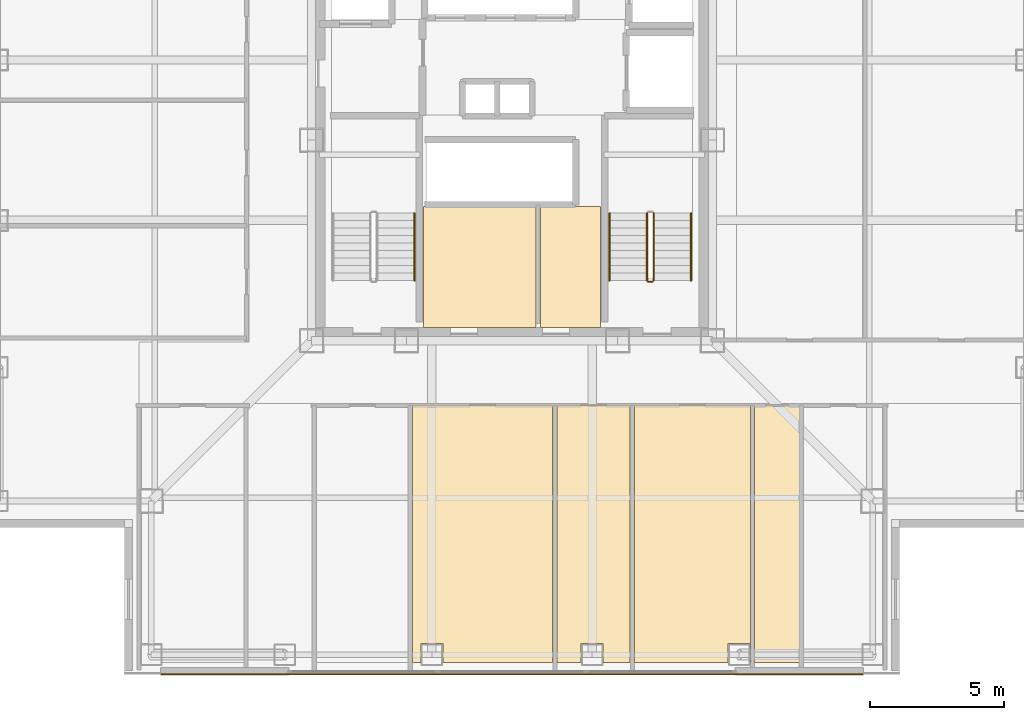
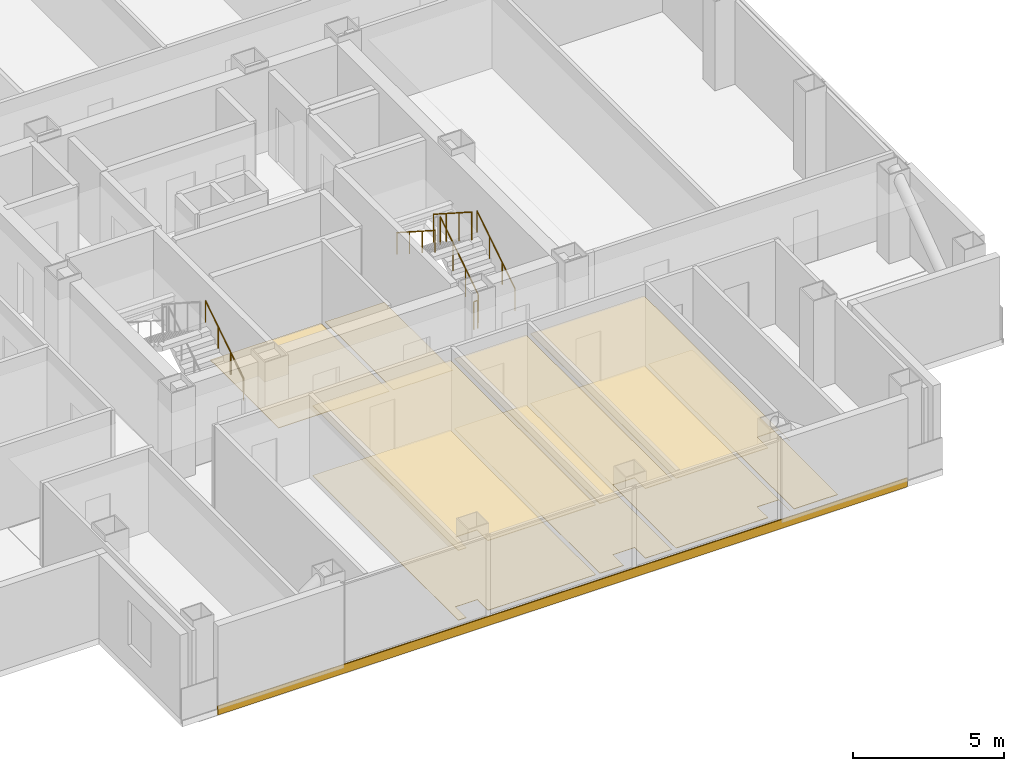
# One storey, part 13 of 17: 10 coverings, 6 railings.
"""IFC4 building model written with IfcOpenShell, lengths in metres."""

import ifcopenshell
import ifcopenshell.guid

model = None  # the IFC model being written
_history = None  # IfcOwnerHistory: only IFC2X3 demands one
_inside = {}  # id of a spatial element -> (the spatial element, [elements in it])
_under = {}  # id of a project, library or spatial element -> (it, [spatial elements below it])
_declared = {}  # id of a project -> (the project, [libraries it declares])
_typed = {}  # id of a type object -> (the type object, [elements of that type])
_made_of = {}  # id of a material, layer set ... -> (it, [elements and type objects made of it])


def new_model(schema):
    """Start an empty IFC model of exactly this schema.

    Asked for "IFC4X3", IfcOpenShell would pick the latest addendum, in which some entities
    have other attributes; the version numbers below select the first issue.
    IFC2X3 requires an IfcOwnerHistory on every rooted entity: one is made here for all.
    """
    global model, _history
    if schema == "IFC4X3":
        model = ifcopenshell.file(schema_version=(4, 3, 0, 0))
    else:
        model = ifcopenshell.file(schema=schema)
    _inside.clear()
    _under.clear()
    _declared.clear()
    _typed.clear()
    _made_of.clear()
    _history = None
    if model.schema == "IFC2X3":
        org = make("IfcOrganization", Name="unknown")
        user = make(
            "IfcPersonAndOrganization",
            ThePerson=make("IfcPerson", FamilyName="unknown"),
            TheOrganization=org,
        )
        app = make(
            "IfcApplication",
            ApplicationDeveloper=org,
            Version="unknown",
            ApplicationFullName="unknown",
            ApplicationIdentifier="unknown",
        )
        _history = make(
            "IfcOwnerHistory",
            OwningUser=user,
            OwningApplication=app,
            ChangeAction="ADDED",
            CreationDate=0,
        )
    return model


def make(cls, **values):
    """One entity of the class cls with the attributes given. An attribute that is None is left unset."""
    return model.create_entity(
        cls, **{name: value for name, value in values.items() if value is not None}
    )


def rooted(cls, **values):
    """An entity with a GlobalId (a new one), such as an element, a storey or a relation."""
    return make(cls, GlobalId=ifcopenshell.guid.new(), OwnerHistory=_history, **values)


def si_unit(unit_type, name, prefix=None):
    """IfcSIUnit, for example si_unit("LENGTHUNIT", "METRE", prefix="MILLI")."""
    return make("IfcSIUnit", UnitType=unit_type, Prefix=prefix, Name=name)


def assignment(units):
    """IfcUnitAssignment: the units of a project."""
    return None if units is None else make("IfcUnitAssignment", Units=units)


def point(xyz):
    """IfcCartesianPoint."""
    return None if xyz is None else make("IfcCartesianPoint", Coordinates=xyz)


def direction(xyz):
    """IfcDirection."""
    return None if xyz is None else make("IfcDirection", DirectionRatios=xyz)


def frame(location, z_axis=None, x_axis=None):
    """IfcAxis2Placement3D, a coordinate frame: its origin and axes. An axis left out is left unset."""
    return make(
        "IfcAxis2Placement3D",
        Location=point(location),
        Axis=direction(z_axis),
        RefDirection=direction(x_axis),
    )


def frame_2d(location, x_axis=None):
    """IfcAxis2Placement2D, a coordinate frame in the plane: its origin and x axis."""
    return make(
        "IfcAxis2Placement2D", Location=point(location), RefDirection=direction(x_axis)
    )


def origin():
    """The frame at (0, 0, 0) with its axes left unset."""
    return frame((0.0, 0.0, 0.0))


def origin_2d():
    """The frame at (0, 0) in the plane with its x axis left unset."""
    return frame_2d((0.0, 0.0))


def place(relative_to, where):
    """IfcLocalPlacement: puts the frame where relative to a parent placement (None: the world)."""
    return make(
        "IfcLocalPlacement", PlacementRelTo=relative_to, RelativePlacement=where
    )


def context(
    kind, dimensions, precision=None, world=None, true_north=None, identifier=None
):
    """IfcGeometricRepresentationContext, for example the 3D "Model" context."""
    return make(
        "IfcGeometricRepresentationContext",
        ContextIdentifier=identifier,
        ContextType=kind,
        CoordinateSpaceDimension=dimensions,
        Precision=precision,
        WorldCoordinateSystem=world,
        TrueNorth=true_north,
    )


def subcontext(parent, identifier, kind, view, scale=None):
    """IfcGeometricRepresentationSubContext, for example "Body" below "Model"."""
    return make(
        "IfcGeometricRepresentationSubContext",
        ContextIdentifier=identifier,
        ContextType=kind,
        ParentContext=parent,
        TargetScale=scale,
        TargetView=view,
    )


def project(units=None, contexts=None):
    """IfcProject with its units and contexts."""
    return rooted(
        "IfcProject",
        Name="project",
        RepresentationContexts=contexts,
        UnitsInContext=assignment(units),
    )


def spatial(cls, under=None, at=None, **own):
    """A site, building, storey or space (cls), placed at a placement, below another one or the project."""
    s = rooted(cls, ObjectPlacement=at, **own)
    if under is not None:
        _under.setdefault(under.id(), (under, []))[1].append(s)
    return s


def polyline(points):
    """IfcPolyline through the points."""
    return make("IfcPolyline", Points=[point(p) for p in points])


def profile(cls, at=None, kind="AREA", **sizes):
    """A parametric profile (cls). Its sizes go by their IFC names, for example OverallWidth=200.0."""
    return make(cls, ProfileType=kind, Position=at, **sizes)


def rectangle(**sizes):
    """IfcRectangleProfileDef."""
    return profile("IfcRectangleProfileDef", **sizes)


def circle(**sizes):
    """IfcCircleProfileDef."""
    return profile("IfcCircleProfileDef", **sizes)


def outline(outer, holes=None, kind="AREA"):
    """IfcArbitraryClosedProfileDef: a profile drawn as a closed curve; with holes, ...WithVoids."""
    if holes is None:
        return make("IfcArbitraryClosedProfileDef", ProfileType=kind, OuterCurve=outer)
    return make(
        "IfcArbitraryProfileDefWithVoids",
        ProfileType=kind,
        OuterCurve=outer,
        InnerCurves=holes,
    )


def extrude(swept, where, along, depth):
    """IfcExtrudedAreaSolid: the profile swept, set in the frame where, extruded along a direction by depth."""
    return make(
        "IfcExtrudedAreaSolid",
        SweptArea=swept,
        Position=where,
        ExtrudedDirection=direction(along),
        Depth=depth,
    )


def shape(context_of_items, identifier, shape_type, items):
    """IfcShapeRepresentation: the items that make up one representation, for example the "Body"."""
    return make(
        "IfcShapeRepresentation",
        ContextOfItems=context_of_items,
        RepresentationIdentifier=identifier,
        RepresentationType=shape_type,
        Items=items,
    )


def material(Name=None, Category=None):
    """IfcMaterial."""
    return make("IfcMaterial", Name=Name, Category=Category)


def layer(
    of_material, thickness, ventilated=None, Name=None, Category=None, Priority=None
):
    """IfcMaterialLayer: one layer of a wall or slab, of a material (None: an air gap)."""
    return make(
        "IfcMaterialLayer",
        Material=of_material,
        LayerThickness=thickness,
        IsVentilated=ventilated,
        Name=Name,
        Category=Category,
        Priority=Priority,
    )


def layer_set(layers, Name=None):
    """IfcMaterialLayerSet."""
    return make("IfcMaterialLayerSet", MaterialLayers=layers, LayerSetName=Name)


def made_of(thing, what):
    """Note that an element or type object is made of a material, layer set ...; save() writes the relation."""
    if what is not None:
        _made_of.setdefault(what.id(), (what, []))[1].append(thing)
    return thing


def type_object(cls, material=None, **own):
    """A type object (cls), such as IfcWallType, which elements share."""
    return made_of(rooted(cls, **own), material)


def element(
    cls,
    number,
    at=None,
    inside=None,
    cuts=None,
    type_object=None,
    material=None,
    context=None,
    identifier="Body",
    shape_type=None,
    held_by="IfcProductDefinitionShape",
    body=None,
    shapes=None,
    **own,
):
    """One element of the class cls, such as IfcWall. Its Tag is "e" and its number.

    at: its placement. inside: the storey or other place that contains it. cuts: it is an
    opening in that element (IfcRelVoidsElement). A single representation is given by context,
    identifier, shape_type and body (its items); several are given by shapes. held_by: the class
    of the entity that holds the representations. save() writes the other relations.
    """
    e = rooted(cls, Tag="e%d" % number, ObjectPlacement=at, **own)
    if body is not None:
        shapes = [shape(context, identifier, shape_type, body)]
    if shapes is not None:
        e.Representation = make(held_by, Representations=shapes)
    if inside is not None:
        _inside.setdefault(inside.id(), (inside, []))[1].append(e)
    if cuts is not None:
        rooted(
            "IfcRelVoidsElement", RelatingBuildingElement=cuts, RelatedOpeningElement=e
        )
    if type_object is not None:
        _typed.setdefault(type_object.id(), (type_object, []))[1].append(e)
    return made_of(e, material)


def aggregate(whole, parts):
    """IfcRelAggregates: a whole, such as a stair, and the parts it consists of."""
    return rooted("IfcRelAggregates", RelatingObject=whole, RelatedObjects=parts)


def save(model, path):
    """Write the relations noted so far, then the file.

    IfcRelAggregates (storeys below a building ...), IfcRelContainedInSpatialStructure (elements
    in a storey), IfcRelDefinesByType, IfcRelAssociatesMaterial and IfcRelDeclares: one each for
    every whole, place, type object, material and project.
    """
    for whole, parts in _under.values():
        aggregate(whole, parts)
    for where, things in _inside.values():
        rooted(
            "IfcRelContainedInSpatialStructure",
            RelatedElements=things,
            RelatingStructure=where,
        )
    for kind, things in _typed.values():
        rooted("IfcRelDefinesByType", RelatedObjects=things, RelatingType=kind)
    for what, things in _made_of.values():
        rooted("IfcRelAssociatesMaterial", RelatedObjects=things, RelatingMaterial=what)
    for by, libraries in _declared.values():
        rooted("IfcRelDeclares", RelatingContext=by, RelatedDefinitions=libraries)
    model.write(path)


model = new_model("IFC4")

# Units and contexts
model_context = context("Model", 3, precision=1e-05, world=origin(), true_north=direction((0.0, 1.0)))
body_context = subcontext(model_context, "Body", "Model", "MODEL_VIEW")
ifc_project = project(units=[si_unit("LENGTHUNIT", "METRE"), si_unit("AREAUNIT", "SQUARE_METRE"), si_unit("VOLUMEUNIT", "CUBIC_METRE"), si_unit("PLANEANGLEUNIT", "RADIAN"), si_unit("MASSUNIT", "GRAM", prefix="KILO")], contexts=[model_context])

# Site, building, storey
site_placement = place(None, origin())
site = spatial("IfcSite", under=ifc_project, at=site_placement, CompositionType="ELEMENT")
building_placement = place(site_placement, origin())
building = spatial("IfcBuilding", under=site, at=building_placement, Name="Trevonay Congress Spire", CompositionType="ELEMENT")
storey_placement = place(building_placement, frame((0.0, 0.0, 169.800048828125)))
storey = spatial("IfcBuildingStorey", under=building, at=storey_placement, Name="L43", CompositionType="ELEMENT", Elevation=169.800048828125)

# Coverings
ifc_material_1 = material(Name="Acoustic Mineral Fibre Board", Category="gypsum")
ifc_layer_1 = layer(ifc_material_1, 0.02490234375, Name="Acoustic Mineral Fibre Board")
ifc_layer_set_1 = layer_set([ifc_layer_1], Name="Acoustic Mineral Fibre Board")
covering_type_1 = type_object("IfcCoveringType", Name="COV-CEIL-ACOUSTIC", PredefinedType="CEILING", material=ifc_layer_set_1)
covering_1_placement = place(storey_placement, frame((0.0, 0.0, 2.81005859375)))
element("IfcCovering", 1, at=covering_1_placement, inside=storey, type_object=covering_type_1, Name="L43 Admiralty Law Office 2 acoustic suspended ceiling", PredefinedType="CEILING", context=body_context, shape_type="SweptSolid", body=[
    extrude(outline(polyline([(-3.719970703125, -19.550048828125), (-3.719970703125, -9.929931640625), (1.52001953125, -9.929931640625), (1.52001953125, -19.550048828125), (-2.590087890625, -19.550048828125), (-2.590087890625, -18.840087890625), (-3.409912109375, -18.840087890625), (-3.409912109375, -19.550048828125), (-3.719970703125, -19.550048828125)])), origin(), (0.0, 0.0, 1.0), 0.02490234375),
])
covering_2_placement = place(storey_placement, frame((0.0, 0.0, 2.81005859375)))
element("IfcCovering", 2, at=covering_2_placement, inside=storey, type_object=covering_type_1, Name="L43 Marine Insurance Office 3 acoustic suspended ceiling", PredefinedType="CEILING", context=body_context, shape_type="SweptSolid", body=[
    extrude(outline(polyline([(1.679931640625, -19.550048828125), (1.679931640625, -9.929931640625), (4.419921875, -9.929931640625), (4.419921875, -19.550048828125), (3.409912109375, -19.550048828125), (3.409912109375, -18.840087890625), (2.590087890625, -18.840087890625), (2.590087890625, -19.550048828125), (1.679931640625, -19.550048828125)])), origin(), (0.0, 0.0, 1.0), 0.02490234375),
])
covering_3_placement = place(storey_placement, frame((0.0, 0.0, 2.81005859375)))
element("IfcCovering", 3, at=covering_3_placement, inside=storey, type_object=covering_type_1, Name="L43 Paralegal Office 4 acoustic suspended ceiling", PredefinedType="CEILING", context=body_context, shape_type="SweptSolid", body=[
    extrude(outline(polyline([(4.580078125, -19.550048828125), (4.580078125, -9.929931640625), (8.919921875, -9.929931640625), (8.919921875, -19.550048828125), (8.909912109375, -19.550048828125), (8.909912109375, -18.840087890625), (8.090087890625, -18.840087890625), (8.090087890625, -19.550048828125), (4.580078125, -19.550048828125)])), origin(), (0.0, 0.0, 1.0), 0.02490234375),
])
ifc_material_2 = material(Name="Polished Granite Floor Tile", Category="masonry")
ifc_layer_2 = layer(ifc_material_2, 0.02001953125, Name="Polished Granite Floor Tile")
ifc_layer_set_2 = layer_set([ifc_layer_2], Name="Polished Granite Floor Tile")
covering_type_2 = type_object("IfcCoveringType", Name="COV-FLOOR-STONE", PredefinedType="FLOORING", material=ifc_layer_set_2)
covering_4_placement = place(storey_placement, origin())
element("IfcCovering", 4, at=covering_4_placement, inside=storey, type_object=covering_type_2, Name="L43 Translation Equipment Hub floor finish", PredefinedType="FLOORING", context=body_context, shape_type="SweptSolid", body=[
    extrude(outline(polyline([(-3.320068359375, -7.0), (0.89990234375, -7.0), (0.89990234375, -2.47998046875), (-3.320068359375, -2.47998046875), (-3.320068359375, -7.0)])), origin(), (0.0, 0.0, 1.0), 0.02001953125),
])
covering_5_placement = place(storey_placement, origin())
element("IfcCovering", 5, at=covering_5_placement, inside=storey, type_object=covering_type_2, Name="L43 Floor Supplies Store floor finish", PredefinedType="FLOORING", context=body_context, shape_type="SweptSolid", body=[
    extrude(outline(polyline([(1.06005859375, -7.0), (3.320068359375, -7.0), (3.320068359375, -2.47998046875), (1.06005859375, -2.47998046875), (1.06005859375, -7.0)])), origin(), (0.0, 0.0, 1.0), 0.02001953125),
])
covering_6_placement = place(storey_placement, origin())
element("IfcCovering", 6, at=covering_6_placement, inside=storey, type_object=covering_type_2, Name="L43 Accessible WC floor finish", PredefinedType="FLOORING", context=body_context, shape_type="SweptSolid", body=[
    extrude(outline(polyline([(9.080078125, -19.550048828125), (10.75, -19.550048828125), (10.75, -9.929931640625), (9.080078125, -9.929931640625), (9.080078125, -19.550048828125)])), origin(), (0.0, 0.0, 1.0), 0.02001953125),
])
ifc_material_3 = material(Name="Engineered Oak Flooring", Category="wood")
ifc_layer_3 = layer(ifc_material_3, 0.01806640625, Name="Engineered Oak Flooring")
ifc_layer_set_3 = layer_set([ifc_layer_3], Name="Engineered Oak Flooring")
covering_type_3 = type_object("IfcCoveringType", Name="COV-FLOOR-TIMBER", PredefinedType="FLOORING", material=ifc_layer_set_3)
covering_7_placement = place(storey_placement, origin())
element("IfcCovering", 7, at=covering_7_placement, inside=storey, type_object=covering_type_3, Name="L43 Admiralty Law Office 2 floor finish", PredefinedType="FLOORING", context=body_context, shape_type="SweptSolid", body=[
    extrude(outline(polyline([(-3.719970703125, -19.550048828125), (-3.719970703125, -9.929931640625), (1.52001953125, -9.929931640625), (1.52001953125, -19.550048828125), (-2.590087890625, -19.550048828125), (-2.590087890625, -18.840087890625), (-3.409912109375, -18.840087890625), (-3.409912109375, -19.550048828125), (-3.719970703125, -19.550048828125)])), origin(), (0.0, 0.0, 1.0), 0.01806640625),
])
covering_8_placement = place(storey_placement, origin())
element("IfcCovering", 8, at=covering_8_placement, inside=storey, type_object=covering_type_3, Name="L43 Marine Insurance Office 3 floor finish", PredefinedType="FLOORING", context=body_context, shape_type="SweptSolid", body=[
    extrude(outline(polyline([(1.679931640625, -19.550048828125), (1.679931640625, -9.929931640625), (4.419921875, -9.929931640625), (4.419921875, -19.550048828125), (3.409912109375, -19.550048828125), (3.409912109375, -18.840087890625), (2.590087890625, -18.840087890625), (2.590087890625, -19.550048828125), (1.679931640625, -19.550048828125)])), origin(), (0.0, 0.0, 1.0), 0.01806640625),
])
covering_9_placement = place(storey_placement, origin())
element("IfcCovering", 9, at=covering_9_placement, inside=storey, type_object=covering_type_3, Name="L43 Paralegal Office 4 floor finish", PredefinedType="FLOORING", context=body_context, shape_type="SweptSolid", body=[
    extrude(outline(polyline([(4.580078125, -19.550048828125), (4.580078125, -9.929931640625), (8.919921875, -9.929931640625), (8.919921875, -19.550048828125), (8.909912109375, -19.550048828125), (8.909912109375, -18.840087890625), (8.090087890625, -18.840087890625), (8.090087890625, -19.550048828125), (4.580078125, -19.550048828125)])), origin(), (0.0, 0.0, 1.0), 0.01806640625),
])
ifc_material_4 = material(Name="Pale Anodised Aluminium EN AW-6063-T6", Category="aluminium")
ifc_layer_4 = layer(ifc_material_4, 0.0400390625, Name="Pale Anodised Aluminium EN AW-6063-T6")
ifc_layer_set_4 = layer_set([ifc_layer_4], Name="Pale Anodised Aluminium EN AW-6063-T6")
covering_type_4 = type_object("IfcCoveringType", Name="COV-SPANDREL-PALE-METAL", PredefinedType="CLADDING", material=ifc_layer_set_4)
covering_10_placement = place(storey_placement, frame((-13.14990234375, -19.97998046875, -0.239990234375), z_axis=(0.0, 0.0, 1.0), x_axis=(1.0, 0.0, 0.0)))
element("IfcCovering", 10, at=covering_10_placement, inside=storey, type_object=covering_type_4, Name="L43 S pale-metal slab-edge spandrel cladding", PredefinedType="CLADDING", context=body_context, shape_type="SweptSolid", body=[
    extrude(rectangle(XDim=26.2998046875, YDim=0.0400390625, at=frame_2d((13.14990234375, 0.0))), origin(), (0.0, 0.0, 1.0), 0.35986328125),
])

# Railings
railing_type_1 = type_object("IfcRailingType", Name="RAL-STAIR-GUARD-110", PredefinedType="GUARDRAIL", material=ifc_material_4)
railing_1_placement = place(storey_placement, frame((5.300048828125, -5.25, 0.179931640625)))
element("IfcRailing", 11, at=railing_1_placement, inside=storey, type_object=railing_type_1, Name="L43 ST-2 stair guard 1", PredefinedType="GUARDRAIL", context=body_context, shape_type="SweptSolid", body=[
    extrude(circle(Radius=0.02392578125, at=origin_2d()), frame((0.0, 0.0, 1.1259765625), z_axis=(0.0, 0.841162588446, 0.540782303519), x_axis=(-1.0, 0.0, 0.0)), (0.0, 0.0, 1.0), 2.995849609375),
    extrude(circle(Radius=0.02099609375, at=origin_2d()), origin(), (0.0, 0.0, 1.0), 1.101806640625),
    extrude(circle(Radius=0.02099609375, at=origin_2d()), frame((0.0, 0.840087890625, 0.5400390625)), (0.0, 0.0, 1.0), 1.101806640625),
    extrude(circle(Radius=0.02099609375, at=origin_2d()), frame((0.0, 1.679931640625, 1.080078125)), (0.0, 0.0, 1.0), 1.101806640625),
    extrude(circle(Radius=0.02099609375, at=origin_2d()), frame((0.0, 2.52001953125, 1.6201171875)), (0.0, 0.0, 1.0), 1.101806640625),
])
railing_2_placement = place(storey_placement, frame((5.050048828125, -2.72998046875, 1.97998046875)))
element("IfcRailing", 12, at=railing_2_placement, inside=storey, type_object=railing_type_1, Name="L43 ST-2 stair guard 3", PredefinedType="GUARDRAIL", context=body_context, shape_type="SweptSolid", body=[
    extrude(circle(Radius=0.02392578125, at=origin_2d()), frame((0.0, 0.0, 1.1259765625), z_axis=(0.0, -0.841199657755, 0.540724639528), x_axis=(1.0, 0.0, 0.0)), (0.0, 0.0, 1.0), 2.995849609375),
    extrude(circle(Radius=0.02099609375, at=origin_2d()), origin(), (0.0, 0.0, 1.0), 1.101806640625),
    extrude(circle(Radius=0.02099609375, at=origin_2d()), frame((0.0, -0.840087890625, 0.5400390625)), (0.0, 0.0, 1.0), 1.101806640625),
    extrude(circle(Radius=0.02099609375, at=origin_2d()), frame((0.0, -1.679931640625, 1.079833984375)), (0.0, 0.0, 1.0), 1.101806640625),
    extrude(circle(Radius=0.02099609375, at=origin_2d()), frame((0.0, -2.52001953125, 1.619873046875)), (0.0, 0.0, 1.0), 1.101806640625),
])
railing_3_placement = place(storey_placement, frame((5.25, -5.300048828125, 0.0)))
element("IfcRailing", 13, at=railing_3_placement, inside=storey, type_object=railing_type_1, Name="L43 ST-2 stair guard 4", PredefinedType="GUARDRAIL", context=body_context, shape_type="SweptSolid", body=[
    extrude(circle(Radius=0.02392578125, at=origin_2d()), frame((0.0, 0.0, 1.1259765625), z_axis=(-1.0, 0.0, 0.0), x_axis=(0.0, -1.0, 0.0)), (0.0, 0.0, 1.0), 0.14990234375),
    extrude(circle(Radius=0.02099609375, at=origin_2d()), origin(), (0.0, 0.0, 1.0), 1.101806640625),
    extrude(circle(Radius=0.02099609375, at=origin_2d()), frame((-0.14990234375, 0.0, 0.0)), (0.0, 0.0, 1.0), 1.101806640625),
])
railing_type_2 = type_object("IfcRailingType", Name="RAL-STAIR-HANDRAIL", PredefinedType="HANDRAIL", material=ifc_material_4)
for number, where, name in (
    (14, (-3.64990234375, -5.25, 0.179931640625), "L43 ST-1 stair handrail 1"),
    (15, (6.699951171875, -5.25, 0.179931640625), "L43 ST-2 stair handrail 1"),
):
    element("IfcRailing", number, at=place(storey_placement, frame(where)), inside=storey, type_object=railing_type_2, Name=name, PredefinedType="HANDRAIL", context=body_context, shape_type="SweptSolid", body=[
        extrude(circle(Radius=0.02392578125, at=origin_2d()), frame((0.0, 0.0, 0.8759765625), z_axis=(0.0, 0.841162588446, 0.540782303519), x_axis=(-1.0, 0.0, 0.0)), (0.0, 0.0, 1.0), 2.995849609375),
        extrude(circle(Radius=0.02099609375, at=origin_2d()), origin(), (0.0, 0.0, 1.0), 0.851806640625),
        extrude(circle(Radius=0.02099609375, at=origin_2d()), frame((0.0, 0.840087890625, 0.5400390625)), (0.0, 0.0, 1.0), 0.851806640625),
        extrude(circle(Radius=0.02099609375, at=origin_2d()), frame((0.0, 1.679931640625, 1.080078125)), (0.0, 0.0, 1.0), 0.851806640625),
        extrude(circle(Radius=0.02099609375, at=origin_2d()), frame((0.0, 2.52001953125, 1.6201171875)), (0.0, 0.0, 1.0), 0.851806640625),
    ])
railing_4_placement = place(storey_placement, frame((3.64990234375, -2.72998046875, 1.97998046875)))
element("IfcRailing", 16, at=railing_4_placement, inside=storey, type_object=railing_type_2, Name="L43 ST-2 stair handrail 2", PredefinedType="HANDRAIL", context=body_context, shape_type="SweptSolid", body=[
    extrude(circle(Radius=0.02392578125, at=origin_2d()), frame((0.0, 0.0, 0.8759765625), z_axis=(0.0, -0.841199657755, 0.540724639528), x_axis=(1.0, 0.0, 0.0)), (0.0, 0.0, 1.0), 2.995849609375),
    extrude(circle(Radius=0.02099609375, at=origin_2d()), origin(), (0.0, 0.0, 1.0), 0.851806640625),
    extrude(circle(Radius=0.02099609375, at=origin_2d()), frame((0.0, -0.840087890625, 0.5400390625)), (0.0, 0.0, 1.0), 0.851806640625),
    extrude(circle(Radius=0.02099609375, at=origin_2d()), frame((0.0, -1.679931640625, 1.079833984375)), (0.0, 0.0, 1.0), 0.851806640625),
    extrude(circle(Radius=0.02099609375, at=origin_2d()), frame((0.0, -2.52001953125, 1.619873046875)), (0.0, 0.0, 1.0), 0.851806640625),
])

save(model, "model.ifc")
